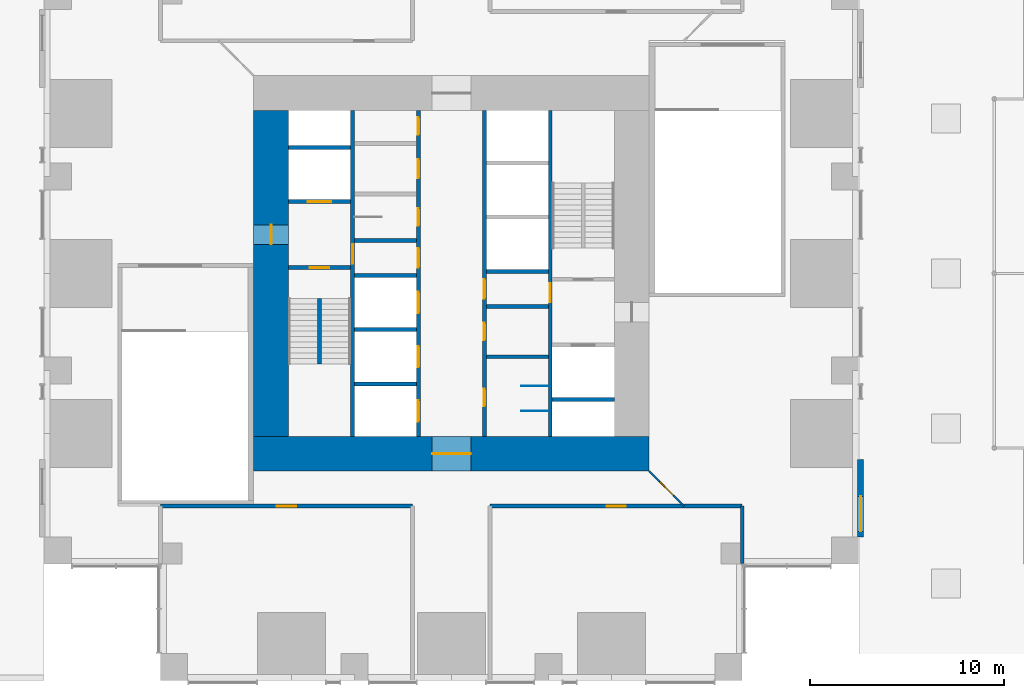
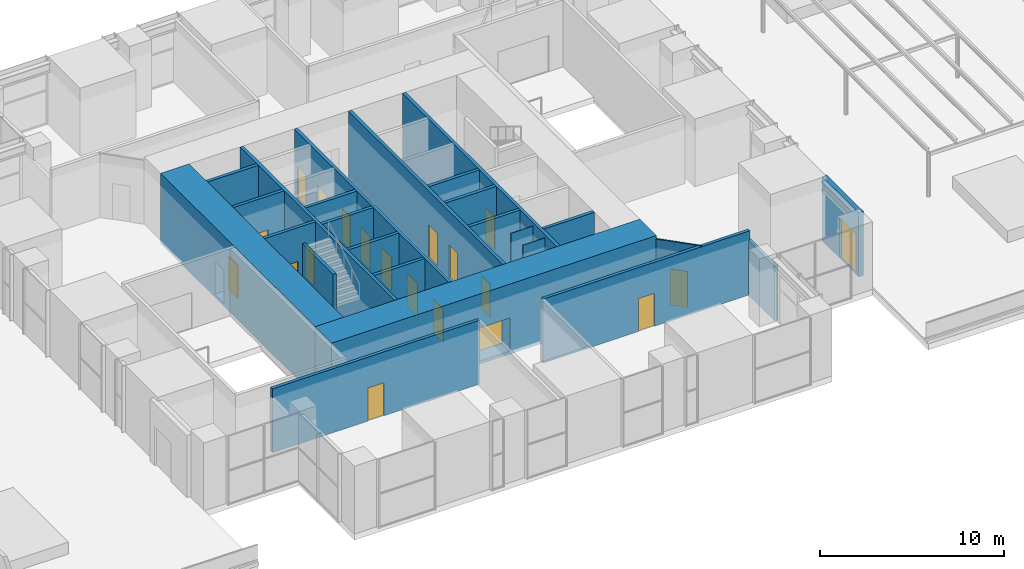
# One storey, part 10 of 14: 25 walls, 20 doors, 20 openings.
"""IFC4 building model written with IfcOpenShell, lengths in metres."""

from ifc_helpers import new_model, si_unit, direction, frame, frame_2d, origin, place, context, subcontext, project, spatial, rectangle, extrude, material, layer, layer_set, type_object, element, fill, save


model = new_model("IFC4")

# Units and contexts
model_context = context("Model", 3, precision=1e-05, world=origin(), true_north=direction((0.0, 1.0)))
body_context = subcontext(model_context, "Body", "Model", "MODEL_VIEW")
ifc_project = project(units=[si_unit("LENGTHUNIT", "METRE"), si_unit("AREAUNIT", "SQUARE_METRE"), si_unit("VOLUMEUNIT", "CUBIC_METRE"), si_unit("PLANEANGLEUNIT", "RADIAN"), si_unit("MASSUNIT", "GRAM", prefix="KILO")], contexts=[model_context])

# Site, building, storey
site_placement = place(None, origin())
site = spatial("IfcSite", under=ifc_project, at=site_placement, CompositionType="ELEMENT")
building_placement = place(site_placement, origin())
building = spatial("IfcBuilding", under=site, at=building_placement, Name="Svetlomir Tower", CompositionType="ELEMENT")
storey_placement = place(building_placement, frame((0.0, 0.0, 18.0)))
storey = spatial("IfcBuildingStorey", under=building, at=storey_placement, Name="L03", CompositionType="ELEMENT", Elevation=18.0)

# Wall, opening, door
ifc_material_1 = material(Name="Gypsum board on twin steel studs", Category="steel")
ifc_layer_1 = layer(ifc_material_1, 0.199951171875)
ifc_layer_set_1 = layer_set([ifc_layer_1], Name="Gypsum board on twin steel studs")
wall_type_1 = type_object("IfcWallType", Name="ACOUSTIC PARTITION 200", PredefinedType="PARTITIONING", material=ifc_layer_set_1)
wall_1_placement = place(storey_placement, frame((6.0, 9.0, 0.0), z_axis=(0.0, 0.0, 1.0), x_axis=(1.0, 0.0, 0.0)))
wall_1 = element("IfcWall", 1, at=wall_1_placement, inside=storey, type_object=wall_type_1, Name="Partition L03", PredefinedType="PARTITIONING", context=body_context, shape_type="SweptSolid", body=[
    extrude(rectangle(XDim=13.0, YDim=0.199951171875, at=frame_2d((6.5, 0.0))), origin(), (0.0, 0.0, 1.0), 4.25),
])
opening_1_placement = place(wall_1_placement, frame((6.0, 0.0, 0.0)))
opening_1 = element("IfcOpeningElement", 2, at=opening_1_placement, cuts=wall_1, Name="Opening DR", PredefinedType="OPENING", context=body_context, shape_type="SweptSolid", body=[
    extrude(rectangle(XDim=1.0, YDim=2.199951171875, at=frame_2d((0.5, 1.10009765625))), frame((0.0, 0.10986328125, 0.0), z_axis=(0.0, -1.0, 0.0), x_axis=(1.0, 0.0, 0.0)), (0.0, 0.0, 1.0), 0.219970703125),
])
ifc_material_2 = material(Name="Timber door, glazed side light", Category="wood")
door_type_1 = type_object("IfcDoorType", Name="DOOR DR 1000x2200", OperationType="SINGLE_SWING_LEFT", PredefinedType="DOOR", material=ifc_material_2)
door_1_placement = place(opening_1_placement, origin())
door_1 = element("IfcDoor", 3, at=door_1_placement, inside=storey, type_object=door_type_1, Name="Conference room 3 door L03", OperationType="SINGLE_SWING_RIGHT", OverallHeight=2.199951171875, OverallWidth=1.0, PredefinedType="DOOR", context=body_context, shape_type="SweptSolid", body=[
    extrude(rectangle(XDim=1.0, YDim=2.199951171875, at=frame_2d((0.5, 1.10009765625))), frame((0.0, 0.02490234375, 0.0), z_axis=(0.0, -1.0, 0.0), x_axis=(1.0, 0.0, 0.0)), (0.0, 0.0, 1.0), 0.050048828125),
])
fill(opening_1, door_1)

wall_2_placement = place(storey_placement, frame((23.0, 9.0, 0.0), z_axis=(0.0, 0.0, 1.0), x_axis=(1.0, 0.0, 0.0)))
wall_2 = element("IfcWall", 4, at=wall_2_placement, inside=storey, type_object=wall_type_1, Name="Partition L03", PredefinedType="PARTITIONING", context=body_context, shape_type="SweptSolid", body=[
    extrude(rectangle(XDim=13.0, YDim=0.199951171875, at=frame_2d((6.5, 0.0))), origin(), (0.0, 0.0, 1.0), 4.25),
])
opening_2_placement = place(wall_2_placement, frame((6.0, 0.0, 0.0)))
opening_2 = element("IfcOpeningElement", 5, at=opening_2_placement, cuts=wall_2, Name="Opening DR", PredefinedType="OPENING", context=body_context, shape_type="SweptSolid", body=[
    extrude(rectangle(XDim=1.0, YDim=2.199951171875, at=frame_2d((0.5, 1.10009765625))), frame((0.0, 0.10986328125, 0.0), z_axis=(0.0, -1.0, 0.0), x_axis=(1.0, 0.0, 0.0)), (0.0, 0.0, 1.0), 0.219970703125),
])
door_2_placement = place(opening_2_placement, origin())
door_2 = element("IfcDoor", 6, at=door_2_placement, inside=storey, type_object=door_type_1, Name="Conference room 4 door L03", OperationType="SINGLE_SWING_LEFT", OverallHeight=2.199951171875, OverallWidth=1.0, PredefinedType="DOOR", context=body_context, shape_type="SweptSolid", body=[
    extrude(rectangle(XDim=1.0, YDim=2.199951171875, at=frame_2d((0.5, 1.10009765625))), frame((0.0, 0.02490234375, 0.0), z_axis=(0.0, -1.0, 0.0), x_axis=(1.0, 0.0, 0.0)), (0.0, 0.0, 1.0), 0.050048828125),
])
fill(opening_2, door_2)

# Wall
wall_3_placement = place(storey_placement, frame((36.0, 6.050048828125, 0.0), z_axis=(0.0, 0.0, 1.0), x_axis=(0.0, 1.0, 0.0)))
element("IfcWall", 7, at=wall_3_placement, inside=storey, type_object=wall_type_1, Name="Partition L03", PredefinedType="PARTITIONING", context=body_context, shape_type="SweptSolid", body=[
    extrude(rectangle(XDim=2.949951171875, YDim=0.199951171875, at=frame_2d((1.47509765625, 0.0))), origin(), (0.0, 0.0, 1.0), 3.6298828125),
])

# Wall, opening, door
ifc_material_3 = material(Name="Concrete C60/75", Category="concrete")
ifc_layer_2 = layer(ifc_material_3, 0.199951171875)
ifc_layer_set_2 = layer_set([ifc_layer_2], Name="Concrete C60/75")
wall_type_2 = type_object("IfcWallType", Name="CORE INNER WALL 200", PredefinedType="SHEAR", material=ifc_layer_set_2)
wall_4_placement = place(storey_placement, frame((15.89990234375, 12.60009765625, -0.199951171875), z_axis=(0.0, 0.0, 1.0), x_axis=(0.0, 1.0, 0.0)))
wall_4 = element("IfcWall", 8, at=wall_4_placement, inside=storey, type_object=wall_type_2, Name="Core inner wall 15.9 L03", PredefinedType="SHEAR", context=body_context, shape_type="SweptSolid", body=[
    extrude(rectangle(XDim=16.7998046875, YDim=0.199951171875, at=frame_2d((8.39990234375, 0.0))), origin(), (0.0, 0.0, 1.0), 4.64990234375),
])
opening_3_placement = place(wall_4_placement, frame((8.89990234375, 0.0, 0.199951171875)))
opening_3 = element("IfcOpeningElement", 9, at=opening_3_placement, cuts=wall_4, Name="Opening DF", PredefinedType="OPENING", context=body_context, shape_type="SweptSolid", body=[
    extrude(rectangle(XDim=1.0, YDim=2.199951171875, at=frame_2d((0.5, 1.10009765625))), frame((0.0, 0.10986328125, 0.0), z_axis=(0.0, -1.0, 0.0), x_axis=(1.0, 0.0, 0.0)), (0.0, 0.0, 1.0), 0.219970703125),
])
ifc_material_4 = material(Name="Steel fire door", Category="steel")
door_type_2 = type_object("IfcDoorType", Name="DOOR DF 1000x2200", OperationType="SINGLE_SWING_LEFT", PredefinedType="DOOR", material=ifc_material_4)
door_3_placement = place(opening_3_placement, origin())
door_3 = element("IfcDoor", 10, at=door_3_placement, inside=storey, type_object=door_type_2, Name="Core corridor west door L03", OperationType="SINGLE_SWING_LEFT", OverallHeight=2.199951171875, OverallWidth=1.0, PredefinedType="DOOR", context=body_context, shape_type="SweptSolid", body=[
    extrude(rectangle(XDim=1.0, YDim=2.199951171875, at=frame_2d((0.5, 1.10009765625))), frame((0.0, 0.02490234375, 0.0), z_axis=(0.0, -1.0, 0.0), x_axis=(1.0, 0.0, 0.0)), (0.0, 0.0, 1.0), 0.050048828125),
])
fill(opening_3, door_3)

# Wall, openings, doors
wall_5_placement = place(storey_placement, frame((19.300048828125, 12.60009765625, -0.199951171875), z_axis=(0.0, 0.0, 1.0), x_axis=(0.0, 1.0, 0.0)))
wall_5 = element("IfcWall", 11, at=wall_5_placement, inside=storey, type_object=wall_type_2, Name="Core inner wall 19.3 L03", PredefinedType="SHEAR", context=body_context, shape_type="SweptSolid", body=[
    extrude(rectangle(XDim=16.7998046875, YDim=0.199951171875, at=frame_2d((8.39990234375, 0.0))), origin(), (0.0, 0.0, 1.0), 4.64990234375),
])
opening_4_placement = place(wall_5_placement, frame((8.699951171875, 0.0, 0.199951171875)))
opening_4 = element("IfcOpeningElement", 12, at=opening_4_placement, cuts=wall_5, Name="Opening DC", PredefinedType="OPENING", context=body_context, shape_type="SweptSolid", body=[
    extrude(rectangle(XDim=1.0, YDim=2.199951171875, at=frame_2d((0.5, 1.10009765625))), frame((0.0, 0.10986328125, 0.0), z_axis=(0.0, -1.0, 0.0), x_axis=(1.0, 0.0, 0.0)), (0.0, 0.0, 1.0), 0.219970703125),
])
opening_5_placement = place(wall_5_placement, frame((10.85009765625, 0.0, 0.199951171875)))
opening_5 = element("IfcOpeningElement", 13, at=opening_5_placement, cuts=wall_5, Name="Opening DW", PredefinedType="OPENING", context=body_context, shape_type="SweptSolid", body=[
    extrude(rectangle(XDim=0.89990234375, YDim=2.199951171875, at=frame_2d((0.449951171875, 1.10009765625))), frame((0.0, 0.10986328125, 0.0), z_axis=(0.0, -1.0, 0.0), x_axis=(1.0, 0.0, 0.0)), (0.0, 0.0, 1.0), 0.219970703125),
])
opening_6_placement = place(wall_5_placement, frame((13.300048828125, 0.0, 0.199951171875)))
opening_6 = element("IfcOpeningElement", 14, at=opening_6_placement, cuts=wall_5, Name="Opening DC", PredefinedType="OPENING", context=body_context, shape_type="SweptSolid", body=[
    extrude(rectangle(XDim=1.0, YDim=2.199951171875, at=frame_2d((0.5, 1.10009765625))), frame((0.0, 0.10986328125, 0.0), z_axis=(0.0, -1.0, 0.0), x_axis=(1.0, 0.0, 0.0)), (0.0, 0.0, 1.0), 0.219970703125),
])
opening_7_placement = place(wall_5_placement, frame((15.550048828125, 0.0, 0.199951171875)))
opening_7 = element("IfcOpeningElement", 15, at=opening_7_placement, cuts=wall_5, Name="Opening DW", PredefinedType="OPENING", context=body_context, shape_type="SweptSolid", body=[
    extrude(rectangle(XDim=0.89990234375, YDim=2.199951171875, at=frame_2d((0.449951171875, 1.10009765625))), frame((0.0, 0.10986328125, 0.0), z_axis=(0.0, -1.0, 0.0), x_axis=(1.0, 0.0, 0.0)), (0.0, 0.0, 1.0), 0.219970703125),
])
opening_8_placement = place(wall_5_placement, frame((0.75, 0.0, 0.199951171875)))
opening_8 = element("IfcOpeningElement", 16, at=opening_8_placement, cuts=wall_5, Name="Opening LD", PredefinedType="OPENING", context=body_context, shape_type="SweptSolid", body=[
    extrude(rectangle(XDim=1.10009765625, YDim=2.199951171875, at=frame_2d((0.550048828125, 1.10009765625))), frame((0.0, 0.10986328125, 0.0), z_axis=(0.0, -1.0, 0.0), x_axis=(1.0, 0.0, 0.0)), (0.0, 0.0, 1.0), 0.219970703125),
])
opening_9_placement = place(wall_5_placement, frame((3.550048828125, 0.0, 0.199951171875)))
opening_9 = element("IfcOpeningElement", 17, at=opening_9_placement, cuts=wall_5, Name="Opening LD", PredefinedType="OPENING", context=body_context, shape_type="SweptSolid", body=[
    extrude(rectangle(XDim=1.10009765625, YDim=2.199951171875, at=frame_2d((0.550048828125, 1.10009765625))), frame((0.0, 0.10986328125, 0.0), z_axis=(0.0, -1.0, 0.0), x_axis=(1.0, 0.0, 0.0)), (0.0, 0.0, 1.0), 0.219970703125),
])
opening_10_placement = place(wall_5_placement, frame((6.35009765625, 0.0, 0.199951171875)))
opening_10 = element("IfcOpeningElement", 18, at=opening_10_placement, cuts=wall_5, Name="Opening LD", PredefinedType="OPENING", context=body_context, shape_type="SweptSolid", body=[
    extrude(rectangle(XDim=1.10009765625, YDim=2.199951171875, at=frame_2d((0.550048828125, 1.10009765625))), frame((0.0, 0.10986328125, 0.0), z_axis=(0.0, -1.0, 0.0), x_axis=(1.0, 0.0, 0.0)), (0.0, 0.0, 1.0), 0.219970703125),
])
ifc_material_5 = material(Name="Timber fire door", Category="wood")
door_type_3 = type_object("IfcDoorType", Name="DOOR DC 1000x2200", OperationType="SINGLE_SWING_LEFT", PredefinedType="DOOR", material=ifc_material_5)
door_4_placement = place(opening_4_placement, origin())
door_4 = element("IfcDoor", 19, at=door_4_placement, inside=storey, type_object=door_type_3, Name="Core corridor west lobby door L03", OperationType="SINGLE_SWING_LEFT", OverallHeight=2.199951171875, OverallWidth=1.0, PredefinedType="DOOR", context=body_context, shape_type="SweptSolid", body=[
    extrude(rectangle(XDim=1.0, YDim=2.199951171875, at=frame_2d((0.5, 1.10009765625))), frame((0.0, 0.02490234375, 0.0), z_axis=(0.0, -1.0, 0.0), x_axis=(1.0, 0.0, 0.0)), (0.0, 0.0, 1.0), 0.050048828125),
])
fill(opening_4, door_4)
door_5_placement = place(opening_6_placement, origin())
door_5 = element("IfcDoor", 20, at=door_5_placement, inside=storey, type_object=door_type_3, Name="Accessible WC door L03", OperationType="SINGLE_SWING_RIGHT", OverallHeight=2.199951171875, OverallWidth=1.0, PredefinedType="DOOR", context=body_context, shape_type="SweptSolid", body=[
    extrude(rectangle(XDim=1.0, YDim=2.199951171875, at=frame_2d((0.5, 1.10009765625))), frame((0.0, 0.02490234375, 0.0), z_axis=(0.0, -1.0, 0.0), x_axis=(1.0, 0.0, 0.0)), (0.0, 0.0, 1.0), 0.050048828125),
])
fill(opening_6, door_5)
ifc_material_6 = material(Name="Timber fire door", Category="wood")
door_type_4 = type_object("IfcDoorType", Name="DOOR DW 900x2200", OperationType="SINGLE_SWING_LEFT", PredefinedType="DOOR", material=ifc_material_6)
door_6_placement = place(opening_5_placement, origin())
door_6 = element("IfcDoor", 21, at=door_6_placement, inside=storey, type_object=door_type_4, Name="Female WC door L03", OperationType="SINGLE_SWING_LEFT", OverallHeight=2.199951171875, OverallWidth=0.89990234375, PredefinedType="DOOR", context=body_context, shape_type="SweptSolid", body=[
    extrude(rectangle(XDim=0.89990234375, YDim=2.199951171875, at=frame_2d((0.449951171875, 1.10009765625))), frame((0.0, 0.02490234375, 0.0), z_axis=(0.0, -1.0, 0.0), x_axis=(1.0, 0.0, 0.0)), (0.0, 0.0, 1.0), 0.050048828125),
])
fill(opening_5, door_6)
door_7_placement = place(opening_7_placement, origin())
door_7 = element("IfcDoor", 22, at=door_7_placement, inside=storey, type_object=door_type_4, Name="IT floor distributor room door L03", OperationType="SINGLE_SWING_LEFT", OverallHeight=2.199951171875, OverallWidth=0.89990234375, PredefinedType="DOOR", context=body_context, shape_type="SweptSolid", body=[
    extrude(rectangle(XDim=0.89990234375, YDim=2.199951171875, at=frame_2d((0.449951171875, 1.10009765625))), frame((0.0, 0.02490234375, 0.0), z_axis=(0.0, -1.0, 0.0), x_axis=(1.0, 0.0, 0.0)), (0.0, 0.0, 1.0), 0.050048828125),
])
fill(opening_7, door_7)
ifc_material_7 = material(Name="Stainless steel landing door", Category="steel")
door_type_5 = type_object("IfcDoorType", Name="LIFT LANDING DOOR LD 1100x2200", OperationType="DOUBLE_DOOR_SLIDING", PredefinedType="DOOR", material=ifc_material_7)
door_8_placement = place(opening_8_placement, origin())
door_8 = element("IfcDoor", 23, at=door_8_placement, inside=storey, type_object=door_type_5, Name="Landing door lift LA1 L03", OperationType="DOUBLE_DOOR_SLIDING", OverallHeight=2.199951171875, OverallWidth=1.10009765625, PredefinedType="DOOR", context=body_context, shape_type="SweptSolid", body=[
    extrude(rectangle(XDim=1.10009765625, YDim=2.199951171875, at=frame_2d((0.550048828125, 1.10009765625))), frame((0.0, 0.02490234375, 0.0), z_axis=(0.0, -1.0, 0.0), x_axis=(1.0, 0.0, 0.0)), (0.0, 0.0, 1.0), 0.050048828125),
])
fill(opening_8, door_8)
door_9_placement = place(opening_9_placement, origin())
door_9 = element("IfcDoor", 24, at=door_9_placement, inside=storey, type_object=door_type_5, Name="Landing door lift LA2 L03", OperationType="DOUBLE_DOOR_SLIDING", OverallHeight=2.199951171875, OverallWidth=1.10009765625, PredefinedType="DOOR", context=body_context, shape_type="SweptSolid", body=[
    extrude(rectangle(XDim=1.10009765625, YDim=2.199951171875, at=frame_2d((0.550048828125, 1.10009765625))), frame((0.0, 0.02490234375, 0.0), z_axis=(0.0, -1.0, 0.0), x_axis=(1.0, 0.0, 0.0)), (0.0, 0.0, 1.0), 0.050048828125),
])
fill(opening_9, door_9)
door_10_placement = place(opening_10_placement, origin())
door_10 = element("IfcDoor", 25, at=door_10_placement, inside=storey, type_object=door_type_5, Name="Landing door lift LA3 L03", OperationType="DOUBLE_DOOR_SLIDING", OverallHeight=2.199951171875, OverallWidth=1.10009765625, PredefinedType="DOOR", context=body_context, shape_type="SweptSolid", body=[
    extrude(rectangle(XDim=1.10009765625, YDim=2.199951171875, at=frame_2d((0.550048828125, 1.10009765625))), frame((0.0, 0.02490234375, 0.0), z_axis=(0.0, -1.0, 0.0), x_axis=(1.0, 0.0, 0.0)), (0.0, 0.0, 1.0), 0.050048828125),
])
fill(opening_10, door_10)

wall_6_placement = place(storey_placement, frame((22.699951171875, 12.60009765625, -0.199951171875), z_axis=(0.0, 0.0, 1.0), x_axis=(0.0, 1.0, 0.0)))
wall_6 = element("IfcWall", 26, at=wall_6_placement, inside=storey, type_object=wall_type_2, Name="Core inner wall 22.7 L03", PredefinedType="SHEAR", context=body_context, shape_type="SweptSolid", body=[
    extrude(rectangle(XDim=16.7998046875, YDim=0.199951171875, at=frame_2d((8.39990234375, 0.0))), origin(), (0.0, 0.0, 1.0), 4.64990234375),
])
opening_11_placement = place(wall_6_placement, frame((7.10009765625, 0.0, 0.199951171875)))
opening_11 = element("IfcOpeningElement", 27, at=opening_11_placement, cuts=wall_6, Name="Opening DC", PredefinedType="OPENING", context=body_context, shape_type="SweptSolid", body=[
    extrude(rectangle(XDim=1.0, YDim=2.199951171875, at=frame_2d((0.5, 1.10009765625))), frame((0.0, 0.10986328125, 0.0), z_axis=(0.0, -1.0, 0.0), x_axis=(1.0, 0.0, 0.0)), (0.0, 0.0, 1.0), 0.219970703125),
])
opening_12_placement = place(wall_6_placement, frame((1.550048828125, 0.0, 0.199951171875)))
opening_12 = element("IfcOpeningElement", 28, at=opening_12_placement, cuts=wall_6, Name="Opening DW", PredefinedType="OPENING", context=body_context, shape_type="SweptSolid", body=[
    extrude(rectangle(XDim=0.89990234375, YDim=2.199951171875, at=frame_2d((0.449951171875, 1.10009765625))), frame((0.0, 0.10986328125, 0.0), z_axis=(0.0, -1.0, 0.0), x_axis=(1.0, 0.0, 0.0)), (0.0, 0.0, 1.0), 0.219970703125),
])
opening_13_placement = place(wall_6_placement, frame((4.949951171875, 0.0, 0.199951171875)))
opening_13 = element("IfcOpeningElement", 29, at=opening_13_placement, cuts=wall_6, Name="Opening DW", PredefinedType="OPENING", context=body_context, shape_type="SweptSolid", body=[
    extrude(rectangle(XDim=0.89990234375, YDim=2.199951171875, at=frame_2d((0.449951171875, 1.10009765625))), frame((0.0, 0.10986328125, 0.0), z_axis=(0.0, -1.0, 0.0), x_axis=(1.0, 0.0, 0.0)), (0.0, 0.0, 1.0), 0.219970703125),
])
door_11_placement = place(opening_11_placement, origin())
door_11 = element("IfcDoor", 30, at=door_11_placement, inside=storey, type_object=door_type_3, Name="Core corridor east lobby door L03", OperationType="SINGLE_SWING_RIGHT", OverallHeight=2.199951171875, OverallWidth=1.0, PredefinedType="DOOR", context=body_context, shape_type="SweptSolid", body=[
    extrude(rectangle(XDim=1.0, YDim=2.199951171875, at=frame_2d((0.5, 1.10009765625))), frame((0.0, 0.02490234375, 0.0), z_axis=(0.0, -1.0, 0.0), x_axis=(1.0, 0.0, 0.0)), (0.0, 0.0, 1.0), 0.050048828125),
])
fill(opening_11, door_11)
door_12_placement = place(opening_12_placement, origin())
door_12 = element("IfcDoor", 31, at=door_12_placement, inside=storey, type_object=door_type_4, Name="Male WC door L03", OperationType="SINGLE_SWING_RIGHT", OverallHeight=2.199951171875, OverallWidth=0.89990234375, PredefinedType="DOOR", context=body_context, shape_type="SweptSolid", body=[
    extrude(rectangle(XDim=0.89990234375, YDim=2.199951171875, at=frame_2d((0.449951171875, 1.10009765625))), frame((0.0, 0.02490234375, 0.0), z_axis=(0.0, -1.0, 0.0), x_axis=(1.0, 0.0, 0.0)), (0.0, 0.0, 1.0), 0.050048828125),
])
fill(opening_12, door_12)
door_13_placement = place(opening_13_placement, origin())
door_13 = element("IfcDoor", 32, at=door_13_placement, inside=storey, type_object=door_type_4, Name="Comms room door L03", OperationType="SINGLE_SWING_LEFT", OverallHeight=2.199951171875, OverallWidth=0.89990234375, PredefinedType="DOOR", context=body_context, shape_type="SweptSolid", body=[
    extrude(rectangle(XDim=0.89990234375, YDim=2.199951171875, at=frame_2d((0.449951171875, 1.10009765625))), frame((0.0, 0.02490234375, 0.0), z_axis=(0.0, -1.0, 0.0), x_axis=(1.0, 0.0, 0.0)), (0.0, 0.0, 1.0), 0.050048828125),
])
fill(opening_13, door_13)

# Wall, opening, door
wall_7_placement = place(storey_placement, frame((26.10009765625, 12.60009765625, -0.199951171875), z_axis=(0.0, 0.0, 1.0), x_axis=(0.0, 1.0, 0.0)))
wall_7 = element("IfcWall", 33, at=wall_7_placement, inside=storey, type_object=wall_type_2, Name="Core inner wall 26.1 L03", PredefinedType="SHEAR", context=body_context, shape_type="SweptSolid", body=[
    extrude(rectangle(XDim=16.7998046875, YDim=0.199951171875, at=frame_2d((8.39990234375, 0.0))), origin(), (0.0, 0.0, 1.0), 4.64990234375),
])
opening_14_placement = place(wall_7_placement, frame((6.89990234375, 0.0, 0.199951171875)))
opening_14 = element("IfcOpeningElement", 34, at=opening_14_placement, cuts=wall_7, Name="Opening DF", PredefinedType="OPENING", context=body_context, shape_type="SweptSolid", body=[
    extrude(rectangle(XDim=1.0, YDim=2.199951171875, at=frame_2d((0.5, 1.10009765625))), frame((0.0, 0.10986328125, 0.0), z_axis=(0.0, -1.0, 0.0), x_axis=(1.0, 0.0, 0.0)), (0.0, 0.0, 1.0), 0.219970703125),
])
door_14_placement = place(opening_14_placement, origin())
door_14 = element("IfcDoor", 35, at=door_14_placement, inside=storey, type_object=door_type_2, Name="Core corridor east door L03", OperationType="SINGLE_SWING_LEFT", OverallHeight=2.199951171875, OverallWidth=1.0, PredefinedType="DOOR", context=body_context, shape_type="SweptSolid", body=[
    extrude(rectangle(XDim=1.0, YDim=2.199951171875, at=frame_2d((0.5, 1.10009765625))), frame((0.0, 0.02490234375, 0.0), z_axis=(0.0, -1.0, 0.0), x_axis=(1.0, 0.0, 0.0)), (0.0, 0.0, 1.0), 0.050048828125),
])
fill(opening_14, door_14)

wall_8_placement = place(storey_placement, frame((12.60009765625, 21.300048828125, -0.199951171875), z_axis=(0.0, 0.0, 1.0), x_axis=(1.0, 0.0, 0.0)))
wall_8 = element("IfcWall", 36, at=wall_8_placement, inside=storey, type_object=wall_type_2, Name="Core inner wall 12.6-15.8/21.3 L03", PredefinedType="SHEAR", context=body_context, shape_type="SweptSolid", body=[
    extrude(rectangle(XDim=3.199951171875, YDim=0.199951171875, at=frame_2d((1.60009765625, 0.0))), origin(), (0.0, 0.0, 1.0), 4.64990234375),
])
opening_15_placement = place(wall_8_placement, frame((1.10009765625, 0.0, 0.199951171875)))
opening_15 = element("IfcOpeningElement", 37, at=opening_15_placement, cuts=wall_8, Name="Opening DF", PredefinedType="OPENING", context=body_context, shape_type="SweptSolid", body=[
    extrude(rectangle(XDim=1.0, YDim=2.199951171875, at=frame_2d((0.5, 1.10009765625))), frame((0.0, 0.10986328125, 0.0), z_axis=(0.0, -1.0, 0.0), x_axis=(1.0, 0.0, 0.0)), (0.0, 0.0, 1.0), 0.219970703125),
])
door_15_placement = place(opening_15_placement, origin())
door_15 = element("IfcDoor", 38, at=door_15_placement, inside=storey, type_object=door_type_2, Name="Stair S1 door L03", OperationType="SINGLE_SWING_LEFT", OverallHeight=2.199951171875, OverallWidth=1.0, PredefinedType="DOOR", context=body_context, shape_type="SweptSolid", body=[
    extrude(rectangle(XDim=1.0, YDim=2.199951171875, at=frame_2d((0.5, 1.10009765625))), frame((0.0, 0.02490234375, 0.0), z_axis=(0.0, -1.0, 0.0), x_axis=(1.0, 0.0, 0.0)), (0.0, 0.0, 1.0), 0.050048828125),
])
fill(opening_15, door_15)

wall_9_placement = place(storey_placement, frame((12.60009765625, 24.699951171875, -0.199951171875), z_axis=(0.0, 0.0, 1.0), x_axis=(1.0, 0.0, 0.0)))
wall_9 = element("IfcWall", 39, at=wall_9_placement, inside=storey, type_object=wall_type_2, Name="Core inner wall 12.6-15.8/24.7 L03", PredefinedType="SHEAR", context=body_context, shape_type="SweptSolid", body=[
    extrude(rectangle(XDim=3.199951171875, YDim=0.199951171875, at=frame_2d((1.60009765625, 0.0))), origin(), (0.0, 0.0, 1.0), 4.64990234375),
])
opening_16_placement = place(wall_9_placement, frame((1.0, 0.0, 0.199951171875)))
opening_16 = element("IfcOpeningElement", 40, at=opening_16_placement, cuts=wall_9, Name="Opening LD3", PredefinedType="OPENING", context=body_context, shape_type="SweptSolid", body=[
    extrude(rectangle(XDim=1.199951171875, YDim=2.199951171875, at=frame_2d((0.60009765625, 1.10009765625))), frame((0.0, 0.10986328125, 0.0), z_axis=(0.0, -1.0, 0.0), x_axis=(1.0, 0.0, 0.0)), (0.0, 0.0, 1.0), 0.219970703125),
])
ifc_material_8 = material(Name="Stainless steel fire-rated landing door", Category="steel")
door_type_6 = type_object("IfcDoorType", Name="FIREFIGHTING LIFT LANDING DOOR LD3 1200x2200", OperationType="DOUBLE_DOOR_SLIDING", PredefinedType="DOOR", material=ifc_material_8)
door_16_placement = place(opening_16_placement, origin())
door_16 = element("IfcDoor", 41, at=door_16_placement, inside=storey, type_object=door_type_6, Name="Landing door lift FL1 L03", OperationType="DOUBLE_DOOR_SLIDING", OverallHeight=2.199951171875, OverallWidth=1.199951171875, PredefinedType="DOOR", context=body_context, shape_type="SweptSolid", body=[
    extrude(rectangle(XDim=1.199951171875, YDim=2.199951171875, at=frame_2d((0.60009765625, 1.10009765625))), frame((0.0, 0.02490234375, 0.0), z_axis=(0.0, -1.0, 0.0), x_axis=(1.0, 0.0, 0.0)), (0.0, 0.0, 1.0), 0.050048828125),
])
fill(opening_16, door_16)

# Walls
for number, where, z_axis, x_axis, name in (
    (42, (12.60009765625, 27.5, -0.199951171875), (0.0, 0.0, 1.0), (1.0, 0.0, 0.0), "Core inner wall 12.6-15.8/27.5 L03"),
    (43, (16.0, 15.300048828125, -0.199951171875), (0.0, 0.0, 1.0), (1.0, 0.0, 0.0), "Core inner wall 16-19.2/15.3 L03"),
    (44, (16.0, 18.10009765625, -0.199951171875), (0.0, 0.0, 1.0), (1.0, 0.0, 0.0), "Core inner wall 16-19.2/18.1 L03"),
    (45, (16.0, 20.89990234375, -0.199951171875), (0.0, 0.0, 1.0), (1.0, 0.0, 0.0), "Core inner wall 16-19.2/20.9 L03"),
    (46, (16.0, 22.699951171875, -0.199951171875), (0.0, 0.0, 1.0), (1.0, 0.0, 0.0), "Core inner wall 16-19.2/22.7 L03"),
    (47, (22.800048828125, 16.699951171875, -0.199951171875), (0.0, 0.0, 1.0), (1.0, 0.0, 0.0), "Core inner wall 22.8-26/16.7 L03"),
    (48, (22.800048828125, 19.300048828125, -0.199951171875), (0.0, 0.0, 1.0), (1.0, 0.0, 0.0), "Core inner wall 22.8-26/19.3 L03"),
    (49, (22.800048828125, 21.10009765625, -0.199951171875), (0.0, 0.0, 1.0), (1.0, 0.0, 0.0), "Core inner wall 22.8-26/21.1 L03"),
    (50, (26.199951171875, 14.5, -0.199951171875), (0.0, 0.0, 1.0), (1.0, 0.0, 0.0), "Core inner wall 26.2-29.4/14.5 L03"),
):
    element("IfcWall", number, at=place(storey_placement, frame(where, z_axis=z_axis, x_axis=x_axis)), inside=storey, type_object=wall_type_2, Name=name, PredefinedType="SHEAR", context=body_context, shape_type="SweptSolid", body=[
        extrude(rectangle(XDim=3.199951171875, YDim=0.199951171875, at=frame_2d((1.60009765625, 0.0))), origin(), (0.0, 0.0, 1.0), 4.64990234375),
    ])

# Wall, opening, door
ifc_material_9 = material(Name="Concrete C60/75", Category="concrete")
ifc_layer_3 = layer(ifc_material_9, 1.800048828125)
ifc_layer_set_3 = layer_set([ifc_layer_3], Name="Concrete C60/75")
wall_type_3 = type_object("IfcWallType", Name="CORE WALL 1800", PredefinedType="SHEAR", material=ifc_layer_set_3)
wall_10_placement = place(storey_placement, frame((10.800048828125, 11.699951171875, -0.199951171875), z_axis=(0.0, 0.0, 1.0), x_axis=(1.0, 0.0, 0.0)))
wall_10 = element("IfcWall", 51, at=wall_10_placement, inside=storey, type_object=wall_type_3, Name="Core wall south L03", PredefinedType="SHEAR", context=body_context, shape_type="SweptSolid", body=[
    extrude(rectangle(XDim=20.39990234375, YDim=1.800048828125, at=frame_2d((10.199951171875, 0.0))), origin(), (0.0, 0.0, 1.0), 4.64990234375),
])
opening_17_placement = place(wall_10_placement, frame((9.199951171875, 0.0, 0.199951171875)))
opening_17 = element("IfcOpeningElement", 52, at=opening_17_placement, cuts=wall_10, Name="Opening DL", PredefinedType="OPENING", context=body_context, shape_type="SweptSolid", body=[
    extrude(rectangle(XDim=2.0, YDim=2.199951171875, at=frame_2d((1.0, 1.10009765625))), frame((0.0, 0.91015625, 0.0), z_axis=(0.0, -1.0, 0.0), x_axis=(1.0, 0.0, 0.0)), (0.0, 0.0, 1.0), 1.820068359375),
])
ifc_material_10 = material(Name="Steel fire door", Category="steel")
door_type_7 = type_object("IfcDoorType", Name="DOOR DL 2000x2200", OperationType="DOUBLE_DOOR_SINGLE_SWING", PredefinedType="DOOR", material=ifc_material_10)
door_17_placement = place(opening_17_placement, origin())
door_17 = element("IfcDoor", 53, at=door_17_placement, inside=storey, type_object=door_type_7, Name="Lift lobby south door L03", OperationType="DOUBLE_DOOR_SINGLE_SWING", OverallHeight=2.199951171875, OverallWidth=2.0, PredefinedType="DOOR", context=body_context, shape_type="SweptSolid", body=[
    extrude(rectangle(XDim=2.0, YDim=2.199951171875, at=frame_2d((1.0, 1.10009765625))), frame((0.0, 0.02490234375, 0.0), z_axis=(0.0, -1.0, 0.0), x_axis=(1.0, 0.0, 0.0)), (0.0, 0.0, 1.0), 0.050048828125),
])
fill(opening_17, door_17)

wall_11_placement = place(storey_placement, frame((11.699951171875, 12.60009765625, -0.199951171875), z_axis=(0.0, 0.0, 1.0), x_axis=(0.0, 1.0, 0.0)))
wall_11 = element("IfcWall", 54, at=wall_11_placement, inside=storey, type_object=wall_type_3, Name="Core wall west L03", PredefinedType="SHEAR", context=body_context, shape_type="SweptSolid", body=[
    extrude(rectangle(XDim=16.7998046875, YDim=1.800048828125, at=frame_2d((8.39990234375, 0.0))), origin(), (0.0, 0.0, 1.0), 4.64990234375),
])
opening_18_placement = place(wall_11_placement, frame((9.89990234375, 0.0, 0.199951171875)))
opening_18 = element("IfcOpeningElement", 55, at=opening_18_placement, cuts=wall_11, Name="Opening DF", PredefinedType="OPENING", context=body_context, shape_type="SweptSolid", body=[
    extrude(rectangle(XDim=1.0, YDim=2.199951171875, at=frame_2d((0.5, 1.10009765625))), frame((0.0, 0.91015625, 0.0), z_axis=(0.0, -1.0, 0.0), x_axis=(1.0, 0.0, 0.0)), (0.0, 0.0, 1.0), 1.820068359375),
])
door_18_placement = place(opening_18_placement, origin())
door_18 = element("IfcDoor", 56, at=door_18_placement, inside=storey, type_object=door_type_2, Name="Firefighting lobby west door L03", OperationType="SINGLE_SWING_LEFT", OverallHeight=2.199951171875, OverallWidth=1.0, PredefinedType="DOOR", context=body_context, shape_type="SweptSolid", body=[
    extrude(rectangle(XDim=1.0, YDim=2.199951171875, at=frame_2d((0.5, 1.10009765625))), frame((0.0, 0.02490234375, 0.0), z_axis=(0.0, -1.0, 0.0), x_axis=(1.0, 0.0, 0.0)), (0.0, 0.0, 1.0), 0.050048828125),
])
fill(opening_18, door_18)

ifc_material_11 = material(Name="Bronze anodised aluminium glazed screen", Category="aluminium")
ifc_layer_4 = layer(ifc_material_11, 0.300048828125)
ifc_layer_set_4 = layer_set([ifc_layer_4], Name="Bronze anodised aluminium glazed screen")
wall_type_4 = type_object("IfcWallType", Name="ENTRANCE SCREEN WALL 300", PredefinedType="USERDEFINED", material=ifc_layer_set_4)
wall_12_placement = place(storey_placement, frame((42.10009765625, 7.39990234375, 0.0), z_axis=(0.0, 0.0, 1.0), x_axis=(0.0, 1.0, 0.0)))
wall_12 = element("IfcWall", 57, at=wall_12_placement, inside=storey, type_object=wall_type_4, Name="Terrace screen", ObjectType="GLAZED SCREEN", PredefinedType="USERDEFINED", context=body_context, shape_type="SweptSolid", body=[
    extrude(rectangle(XDim=4.0, YDim=0.300048828125, at=frame_2d((2.0, 0.0))), origin(), (0.0, 0.0, 1.0), 4.25),
])
opening_19_placement = place(wall_12_placement, frame((0.300048828125, 0.0, 0.0)))
opening_19 = element("IfcOpeningElement", 58, at=opening_19_placement, cuts=wall_12, Name="Opening TD", PredefinedType="OPENING", context=body_context, shape_type="SweptSolid", body=[
    extrude(rectangle(XDim=1.800048828125, YDim=2.699951171875, at=frame_2d((0.89990234375, 1.35009765625))), frame((0.0, 0.16015625, 0.0), z_axis=(0.0, -1.0, 0.0), x_axis=(1.0, 0.0, 0.0)), (0.0, 0.0, 1.0), 0.320068359375),
])
ifc_material_12 = material(Name="Bronze anodised aluminium glazed door", Category="aluminium")
door_type_8 = type_object("IfcDoorType", Name="TERRACE DOOR TD 1800x2700", OperationType="DOUBLE_DOOR_SINGLE_SWING", PredefinedType="DOOR", material=ifc_material_12)
door_19_placement = place(opening_19_placement, origin())
door_19 = element("IfcDoor", 59, at=door_19_placement, inside=storey, type_object=door_type_8, Name="Terrace screen door", OperationType="DOUBLE_DOOR_SINGLE_SWING", OverallHeight=2.699951171875, OverallWidth=1.800048828125, PredefinedType="DOOR", context=body_context, shape_type="SweptSolid", body=[
    extrude(rectangle(XDim=1.800048828125, YDim=2.699951171875, at=frame_2d((0.89990234375, 1.35009765625))), frame((0.0, 0.02490234375, 0.0), z_axis=(0.0, -1.0, 0.0), x_axis=(1.0, 0.0, 0.0)), (0.0, 0.0, 1.0), 0.050048828125),
])
fill(opening_19, door_19)

ifc_material_13 = material(Name="Framed laminated glass partition", Category="glass")
ifc_layer_5 = layer(ifc_material_13, 0.10009765625)
ifc_layer_set_5 = layer_set([ifc_layer_5], Name="Framed laminated glass partition")
wall_type_5 = type_object("IfcWallType", Name="GLAZED PARTITION 100", PredefinedType="PARTITIONING", material=ifc_layer_set_5)
wall_13_placement = place(storey_placement, frame((31.199951171875, 10.800048828125, 0.0), z_axis=(0.0, 0.0, 1.0), x_axis=(0.707106781187, -0.707106781187, 0.0)))
wall_13 = element("IfcWall", 60, at=wall_13_placement, inside=storey, type_object=wall_type_5, Name="Glazed screen L03", PredefinedType="PARTITIONING", context=body_context, shape_type="SweptSolid", body=[
    extrude(rectangle(XDim=2.545654296875, YDim=0.10009765625, at=frame_2d((1.27294921875, 0.0))), origin(), (0.0, 0.0, 1.0), 4.25),
])
opening_20_placement = place(wall_13_placement, frame((0.772705078125, 0.0, 0.0)))
opening_20 = element("IfcOpeningElement", 61, at=opening_20_placement, cuts=wall_13, Name="Opening DG", PredefinedType="OPENING", context=body_context, shape_type="SweptSolid", body=[
    extrude(rectangle(XDim=1.0, YDim=2.39990234375, at=frame_2d((0.5, 1.199951171875))), frame((0.0, 0.06005859375, 0.0), z_axis=(0.0, -1.0, 0.0), x_axis=(1.0, 0.0, 0.0)), (0.0, 0.0, 1.0), 0.1201171875),
])
ifc_material_14 = material(Name="Framed laminated glass door", Category="glass")
door_type_9 = type_object("IfcDoorType", Name="GLAZED DOOR DG 1000x2400", OperationType="SINGLE_SWING_LEFT", PredefinedType="DOOR", material=ifc_material_14)
door_20_placement = place(opening_20_placement, origin())
door_20 = element("IfcDoor", 62, at=door_20_placement, inside=storey, type_object=door_type_9, Name="Glazed screen door L03", OperationType="SINGLE_SWING_RIGHT", OverallHeight=2.39990234375, OverallWidth=1.0, PredefinedType="DOOR", context=body_context, shape_type="SweptSolid", body=[
    extrude(rectangle(XDim=1.0, YDim=2.39990234375, at=frame_2d((0.5, 1.199951171875))), frame((0.0, 0.02490234375, 0.0), z_axis=(0.0, -1.0, 0.0), x_axis=(1.0, 0.0, 0.0)), (0.0, 0.0, 1.0), 0.050048828125),
])
fill(opening_20, door_20)

# Walls
ifc_material_15 = material(Name="Concrete C60/75", Category="concrete")
ifc_layer_6 = layer(ifc_material_15, 0.199951171875)
ifc_layer_set_6 = layer_set([ifc_layer_6], Name="Concrete C60/75")
wall_type_6 = type_object("IfcWallType", Name="STAIR SPINE WALL 200", PredefinedType="PARTITIONING", material=ifc_layer_set_6)
wall_14_placement = place(storey_placement, frame((14.199951171875, 16.340087890625, 0.0), z_axis=(0.0, 0.0, 1.0), x_axis=(0.0, 1.0, 0.0)))
element("IfcWall", 63, at=wall_14_placement, inside=storey, type_object=wall_type_6, Name="Stair S1 spine wall L03", PredefinedType="PARTITIONING", context=body_context, shape_type="SweptSolid", body=[
    extrude(rectangle(XDim=3.35986328125, YDim=0.199951171875, at=frame_2d((1.679931640625, 0.0))), origin(), (0.0, 0.0, 1.0), 4.5),
])
ifc_material_16 = material(Name="Compact laminate panel", Category="plastic")
ifc_layer_7 = layer(ifc_material_16, 0.030029296875)
ifc_layer_set_7 = layer_set([ifc_layer_7], Name="Compact laminate panel")
wall_type_7 = type_object("IfcWallType", Name="WC CUBICLE PARTITION 30", PredefinedType="PARTITIONING", material=ifc_layer_set_7)
for number, where, z_axis, x_axis, name in (
    (64, (24.60009765625, 13.89990234375, 0.0), (0.0, 0.0, 1.0), (1.0, 0.0, 0.0), "WC cubicle partition L03"),
    (65, (24.60009765625, 15.199951171875, 0.0), (0.0, 0.0, 1.0), (1.0, 0.0, 0.0), "WC cubicle partition L03"),
):
    element("IfcWall", number, at=place(storey_placement, frame(where, z_axis=z_axis, x_axis=x_axis)), inside=storey, type_object=wall_type_7, Name=name, PredefinedType="PARTITIONING", context=body_context, shape_type="SweptSolid", body=[
        extrude(rectangle(XDim=1.39990234375, YDim=0.030029296875, at=frame_2d((0.699951171875, 0.0))), origin(), (0.0, 0.0, 1.0), 4.25),
    ])

save(model, "model.ifc")
